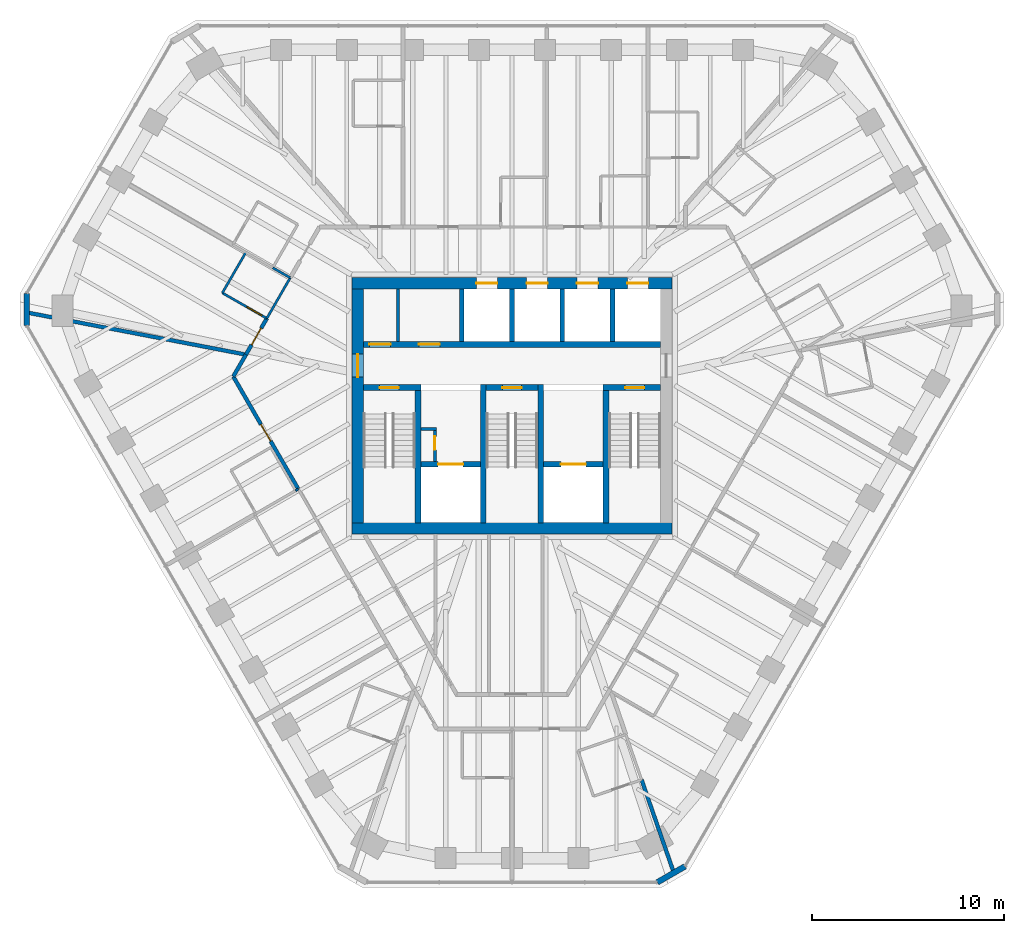
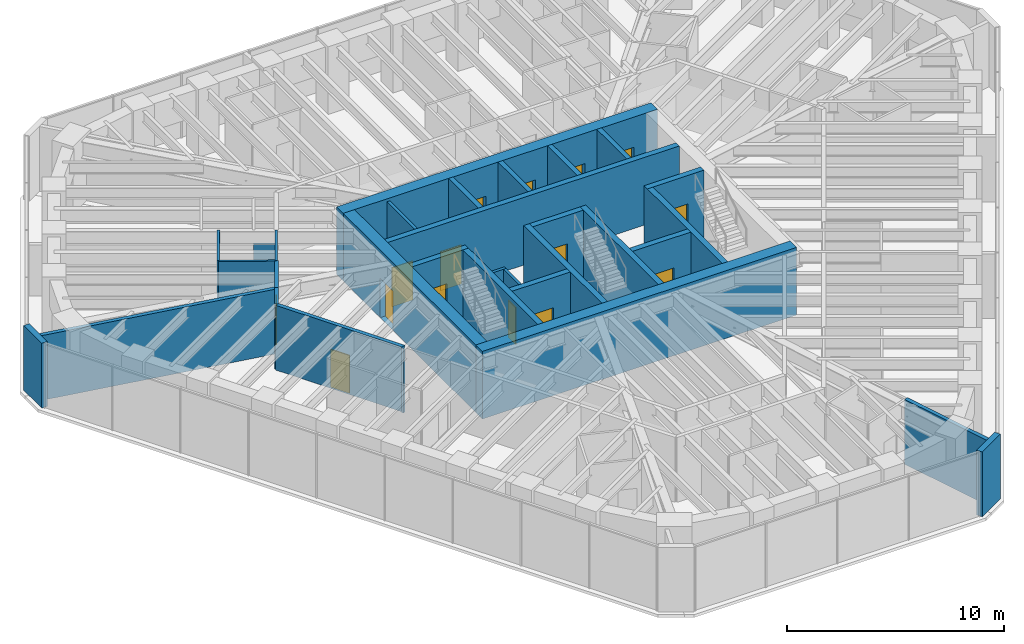
# One storey, part 10 of 14: 32 walls, 16 doors, 16 openings.
"""IFC4 building model written with IfcOpenShell, lengths in metres."""

from ifc_helpers import new_model, si_unit, direction, frame, frame_2d, origin, place, context, subcontext, project, spatial, rectangle, extrude, material, layer, layer_set, type_object, element, fill, save


model = new_model("IFC4")

# Units and contexts
model_context = context("Model", 3, precision=1e-05, world=origin(), true_north=direction((0.0, 1.0)))
body_context = subcontext(model_context, "Body", "Model", "MODEL_VIEW")
ifc_project = project(units=[si_unit("LENGTHUNIT", "METRE"), si_unit("AREAUNIT", "SQUARE_METRE"), si_unit("VOLUMEUNIT", "CUBIC_METRE"), si_unit("PLANEANGLEUNIT", "RADIAN"), si_unit("MASSUNIT", "GRAM", prefix="KILO")], contexts=[model_context])

# Site, building, storey
site_placement = place(None, origin())
site = spatial("IfcSite", under=ifc_project, at=site_placement, CompositionType="ELEMENT")
building_placement = place(site_placement, origin())
building = spatial("IfcBuilding", under=site, at=building_placement, Name="Sandreach Pilgrim Tower", CompositionType="ELEMENT")
storey_placement = place(building_placement, frame((0.0, 0.0, 276.0)))
storey = spatial("IfcBuildingStorey", under=building, at=storey_placement, Name="L69", CompositionType="ELEMENT", Elevation=276.0)

# Wall
ifc_material_1 = material(Name="Gypsum board on steel studs", Category="steel")
ifc_layer_1 = layer(ifc_material_1, 0.14990234375)
ifc_layer_set_1 = layer_set([ifc_layer_1], Name="Back of house wall 150")
wall_type_1 = type_object("IfcWallType", Name="Back of house wall 150", PredefinedType="PARTITIONING", material=ifc_layer_set_1)
wall_1_placement = place(storey_placement, frame((-5.949951171875, 3.35009765625, 0.0), z_axis=(0.0, 0.0, 1.0), x_axis=(0.0, 1.0, 0.0)))
element("IfcWall", 1, at=wall_1_placement, inside=storey, type_object=wall_type_1, Name="Core room partition L69 1", PredefinedType="PARTITIONING", context=body_context, shape_type="SweptSolid", body=[
    extrude(rectangle(XDim=2.75, YDim=0.14990234375, at=frame_2d((1.375, 0.0))), origin(), (0.0, 0.0, 1.0), 3.639892578125),
])

# Wall, opening, door
ifc_material_2 = material(Name="Moisture-resistant gypsum board on steel studs", Category="steel")
ifc_layer_2 = layer(ifc_material_2, 0.1201171875)
ifc_layer_set_2 = layer_set([ifc_layer_2], Name="Bathroom partition 120")
wall_type_2 = type_object("IfcWallType", Name="Bathroom partition 120", PredefinedType="PARTITIONING", material=ifc_layer_set_2)
wall_2_placement = place(storey_placement, frame((-15.110107421875, 5.889892578125, 0.0), z_axis=(0.0, 0.0, 1.0), x_axis=(0.867585049529, -0.497288831399, 0.0)))
wall_2 = element("IfcWall", 2, at=wall_2_placement, inside=storey, type_object=wall_type_2, Name="Bathroom partition L69-004", PredefinedType="PARTITIONING", context=body_context, shape_type="SweptSolid", body=[
    extrude(rectangle(XDim=2.674072265625, YDim=0.1201171875, at=frame_2d((1.3369140625, 0.0))), origin(), (0.0, 0.0, 1.0), 3.639892578125),
])
opening_1_placement = place(wall_2_placement, frame((1.47412109375, 0.0, 0.0)))
opening_1 = element("IfcOpeningElement", 3, at=opening_1_placement, cuts=wall_2, Name="Opening D09-15B", PredefinedType="OPENING", context=body_context, shape_type="SweptSolid", body=[
    extrude(rectangle(XDim=0.89990234375, YDim=2.030029296875, at=frame_2d((0.449951171875, 1.01513671875))), frame((0.0, 0.06005859375, 0.0), z_axis=(0.0, -1.0, 0.0), x_axis=(1.0, 0.0, 0.0)), (0.0, 0.0, 1.0), 0.1201171875),
])
ifc_material_3 = material(Name="Timber door, steel frame", Category="steel")
door_type_1 = type_object("IfcDoorType", Name="Bathroom door", OperationType="SINGLE_SWING_LEFT", PredefinedType="DOOR", material=ifc_material_3)
door_1_placement = place(opening_1_placement, origin())
door_1 = element("IfcDoor", 4, at=door_1_placement, inside=storey, type_object=door_type_1, Name="Door 6915B", OperationType="SINGLE_SWING_RIGHT", OverallHeight=2.030029296875, OverallWidth=0.89990234375, PredefinedType="DOOR", context=body_context, shape_type="SweptSolid", body=[
    extrude(rectangle(XDim=0.89990234375, YDim=2.030029296875, at=frame_2d((0.449951171875, 1.01513671875))), frame((0.0, 0.02490234375, 0.0), z_axis=(0.0, -1.0, 0.0), x_axis=(1.0, 0.0, 0.0)), (0.0, 0.0, 1.0), 0.050048828125),
])
fill(opening_1, door_1)

# Walls
wall_3_placement = place(storey_placement, frame((-13.8798828125, 8.010009765625, 0.0), z_axis=(0.0, 0.0, 1.0), x_axis=(-0.501888006485, -0.864932615264, 0.0)))
element("IfcWall", 5, at=wall_3_placement, inside=storey, type_object=wall_type_2, Name="Bathroom partition L69-011", PredefinedType="PARTITIONING", context=body_context, shape_type="SweptSolid", body=[
    extrude(rectangle(XDim=2.451171875, YDim=0.1201171875, at=frame_2d((1.2255859375, 0.0))), origin(), (0.0, 0.0, 1.0), 3.639892578125),
])
wall_4_placement = place(storey_placement, frame((-12.7900390625, 4.56005859375, 0.0), z_axis=(0.0, 0.0, 1.0), x_axis=(0.499252904436, 0.866456310158, 0.0)))
element("IfcWall", 6, at=wall_4_placement, inside=storey, type_object=wall_type_2, Name="Bathroom partition L69-017", PredefinedType="PARTITIONING", context=body_context, shape_type="SweptSolid", body=[
    extrude(rectangle(XDim=2.446044921875, YDim=0.1201171875, at=frame_2d((1.22314453125, 0.0))), origin(), (0.0, 0.0, 1.0), 3.639892578125),
])
wall_5_placement = place(storey_placement, frame((-12.47998046875, 7.199951171875, 0.0), z_axis=(0.0, 0.0, 1.0), x_axis=(0.868214469581, -0.496189111942, 0.0)))
element("IfcWall", 7, at=wall_5_placement, inside=storey, type_object=wall_type_2, Name="Bathroom partition L69-019", PredefinedType="PARTITIONING", context=body_context, shape_type="SweptSolid", body=[
    extrude(rectangle(XDim=1.048095703125, YDim=0.1201171875, at=frame_2d((0.52392578125, 0.0))), origin(), (0.0, 0.0, 1.0), 2.8779296875),
])
wall_6_placement = place(storey_placement, frame((-11.280029296875, -4.419921875, 0.0), z_axis=(0.0, 0.0, 1.0), x_axis=(0.851933114221, 0.5236506172, 0.0)))
element("IfcWall", 8, at=wall_6_placement, inside=storey, type_object=wall_type_2, Name="Bathroom partition L69-024", PredefinedType="PARTITIONING", context=body_context, shape_type="SweptSolid", body=[
    extrude(rectangle(XDim=0.15234375, YDim=0.1201171875, at=frame_2d((0.076171875, 0.0))), origin(), (0.0, 0.0, 1.0), 3.639892578125),
])
ifc_material_4 = material(Name="Concrete 10000 psi", Category="concrete")
ifc_layer_3 = layer(ifc_material_4, 0.300048828125)
ifc_layer_set_3 = layer_set([ifc_layer_3], Name="Core inner wall 300")
wall_type_3 = type_object("IfcWallType", Name="Core inner wall 300", PredefinedType="SHEAR", material=ifc_layer_set_3)
for number, where, z_axis, x_axis, name in (
    (9, (-4.89990234375, -6.10009765625, 0.0), (0.0, 0.0, 1.0), (0.0, 1.0, 0.0), "Core wall I0 L69"),
    (10, (-1.5, -6.10009765625, 0.0), (0.0, 0.0, 1.0), (0.0, 1.0, 0.0), "Core wall I1 L69"),
    (11, (1.5, -6.10009765625, 0.0), (0.0, 0.0, 1.0), (0.0, 1.0, 0.0), "Core wall I2 L69"),
    (12, (4.89990234375, -6.10009765625, 0.0), (0.0, 0.0, 1.0), (0.0, 1.0, 0.0), "Core wall I3 L69"),
):
    element("IfcWall", number, at=place(storey_placement, frame(where, z_axis=z_axis, x_axis=x_axis)), inside=storey, type_object=wall_type_3, Name=name, PredefinedType="SHEAR", context=body_context, shape_type="SweptSolid", body=[
        extrude(rectangle(XDim=7.2001953125, YDim=0.300048828125, at=frame_2d((3.60009765625, 0.0))), origin(), (0.0, 0.0, 1.0), 3.800048828125),
    ])

# Wall, opening, door
wall_7_placement = place(storey_placement, frame((-7.75, 0.949951171875, 0.0), z_axis=(0.0, 0.0, 1.0), x_axis=(1.0, 0.0, 0.0)))
wall_7 = element("IfcWall", 13, at=wall_7_placement, inside=storey, type_object=wall_type_3, Name="Core wall SN1 L69", PredefinedType="SHEAR", context=body_context, shape_type="SweptSolid", body=[
    extrude(rectangle(XDim=3.0, YDim=0.300048828125, at=frame_2d((1.5, 0.0))), origin(), (0.0, 0.0, 1.0), 3.800048828125),
])
opening_2_placement = place(wall_7_placement, frame((0.85009765625, 0.0, 0.0)))
opening_2 = element("IfcOpeningElement", 14, at=opening_2_placement, cuts=wall_7, Name="Opening D10S-ST1", PredefinedType="OPENING", context=body_context, shape_type="SweptSolid", body=[
    extrude(rectangle(XDim=1.0, YDim=2.199951171875, at=frame_2d((0.5, 1.10009765625))), frame((0.0, 0.14990234375, 0.0), z_axis=(0.0, -1.0, 0.0), x_axis=(1.0, 0.0, 0.0)), (0.0, 0.0, 1.0), 0.300048828125),
])
ifc_material_5 = material(Name="Steel door and frame", Category="steel")
door_type_2 = type_object("IfcDoorType", Name="Stair door", OperationType="SINGLE_SWING_LEFT", PredefinedType="DOOR", material=ifc_material_5)
door_2_placement = place(opening_2_placement, origin())
door_2 = element("IfcDoor", 15, at=door_2_placement, inside=storey, type_object=door_type_2, Name="Stair door ST1 L69", OperationType="SINGLE_SWING_LEFT", OverallHeight=2.199951171875, OverallWidth=1.0, PredefinedType="DOOR", context=body_context, shape_type="SweptSolid", body=[
    extrude(rectangle(XDim=1.0, YDim=2.199951171875, at=frame_2d((0.5, 1.10009765625))), frame((0.0, 0.02490234375, 0.0), z_axis=(0.0, -1.0, 0.0), x_axis=(1.0, 0.0, 0.0)), (0.0, 0.0, 1.0), 0.050048828125),
])
fill(opening_2, door_2)

wall_8_placement = place(storey_placement, frame((-1.35009765625, 0.949951171875, 0.0), z_axis=(0.0, 0.0, 1.0), x_axis=(1.0, 0.0, 0.0)))
wall_8 = element("IfcWall", 16, at=wall_8_placement, inside=storey, type_object=wall_type_3, Name="Core wall SN3 L69", PredefinedType="SHEAR", context=body_context, shape_type="SweptSolid", body=[
    extrude(rectangle(XDim=2.7001953125, YDim=0.300048828125, at=frame_2d((1.35009765625, 0.0))), origin(), (0.0, 0.0, 1.0), 3.800048828125),
])
opening_3_placement = place(wall_8_placement, frame((0.85009765625, 0.0, 0.0)))
opening_3 = element("IfcOpeningElement", 17, at=opening_3_placement, cuts=wall_8, Name="Opening D10S-ST3", PredefinedType="OPENING", context=body_context, shape_type="SweptSolid", body=[
    extrude(rectangle(XDim=1.0, YDim=2.199951171875, at=frame_2d((0.5, 1.10009765625))), frame((0.0, 0.14990234375, 0.0), z_axis=(0.0, -1.0, 0.0), x_axis=(1.0, 0.0, 0.0)), (0.0, 0.0, 1.0), 0.300048828125),
])
door_3_placement = place(opening_3_placement, origin())
door_3 = element("IfcDoor", 18, at=door_3_placement, inside=storey, type_object=door_type_2, Name="Stair door ST3 L69", OperationType="SINGLE_SWING_LEFT", OverallHeight=2.199951171875, OverallWidth=1.0, PredefinedType="DOOR", context=body_context, shape_type="SweptSolid", body=[
    extrude(rectangle(XDim=1.0, YDim=2.199951171875, at=frame_2d((0.5, 1.10009765625))), frame((0.0, 0.02490234375, 0.0), z_axis=(0.0, -1.0, 0.0), x_axis=(1.0, 0.0, 0.0)), (0.0, 0.0, 1.0), 0.050048828125),
])
fill(opening_3, door_3)

wall_9_placement = place(storey_placement, frame((4.75, 0.949951171875, 0.0), z_axis=(0.0, 0.0, 1.0), x_axis=(1.0, 0.0, 0.0)))
wall_9 = element("IfcWall", 19, at=wall_9_placement, inside=storey, type_object=wall_type_3, Name="Core wall SN2 L69", PredefinedType="SHEAR", context=body_context, shape_type="SweptSolid", body=[
    extrude(rectangle(XDim=3.0, YDim=0.300048828125, at=frame_2d((1.5, 0.0))), origin(), (0.0, 0.0, 1.0), 3.800048828125),
])
opening_4_placement = place(wall_9_placement, frame((1.14990234375, 0.0, 0.0)))
opening_4 = element("IfcOpeningElement", 20, at=opening_4_placement, cuts=wall_9, Name="Opening D10S-ST2", PredefinedType="OPENING", context=body_context, shape_type="SweptSolid", body=[
    extrude(rectangle(XDim=1.0, YDim=2.199951171875, at=frame_2d((0.5, 1.10009765625))), frame((0.0, 0.14990234375, 0.0), z_axis=(0.0, -1.0, 0.0), x_axis=(1.0, 0.0, 0.0)), (0.0, 0.0, 1.0), 0.300048828125),
])
door_4_placement = place(opening_4_placement, origin())
door_4 = element("IfcDoor", 21, at=door_4_placement, inside=storey, type_object=door_type_2, Name="Stair door ST2 L69", OperationType="SINGLE_SWING_RIGHT", OverallHeight=2.199951171875, OverallWidth=1.0, PredefinedType="DOOR", context=body_context, shape_type="SweptSolid", body=[
    extrude(rectangle(XDim=1.0, YDim=2.199951171875, at=frame_2d((0.5, 1.10009765625))), frame((0.0, 0.02490234375, 0.0), z_axis=(0.0, -1.0, 0.0), x_axis=(1.0, 0.0, 0.0)), (0.0, 0.0, 1.0), 0.050048828125),
])
fill(opening_4, door_4)

wall_10_placement = place(storey_placement, frame((-4.75, -3.050048828125, 0.0), z_axis=(0.0, 0.0, 1.0), x_axis=(1.0, 0.0, 0.0)))
wall_10 = element("IfcWall", 22, at=wall_10_placement, inside=storey, type_object=wall_type_3, Name="Core wall FL1 L69", PredefinedType="SHEAR", context=body_context, shape_type="SweptSolid", body=[
    extrude(rectangle(XDim=3.10009765625, YDim=0.300048828125, at=frame_2d((1.550048828125, 0.0))), origin(), (0.0, 0.0, 1.0), 3.800048828125),
])
opening_5_placement = place(wall_10_placement, frame((0.89990234375, 0.0, 0.0)))
opening_5 = element("IfcOpeningElement", 23, at=opening_5_placement, cuts=wall_10, Name="Opening LD13", PredefinedType="OPENING", context=body_context, shape_type="SweptSolid", body=[
    extrude(rectangle(XDim=1.300048828125, YDim=2.10009765625, at=frame_2d((0.64990234375, 1.050048828125))), frame((0.0, 0.14990234375, 0.0), z_axis=(0.0, -1.0, 0.0), x_axis=(1.0, 0.0, 0.0)), (0.0, 0.0, 1.0), 0.300048828125),
])
ifc_material_6 = material(Name="Steel door and frame", Category="steel")
door_type_3 = type_object("IfcDoorType", Name="Fire service lift landing door", OperationType="DOUBLE_DOOR_SLIDING", PredefinedType="DOOR", material=ifc_material_6)
door_5_placement = place(opening_5_placement, origin())
door_5 = element("IfcDoor", 24, at=door_5_placement, inside=storey, type_object=door_type_3, Name="Lift landing door FS1 L69", OperationType="DOUBLE_DOOR_SLIDING", OverallHeight=2.10009765625, OverallWidth=1.300048828125, PredefinedType="DOOR", context=body_context, shape_type="SweptSolid", body=[
    extrude(rectangle(XDim=1.300048828125, YDim=2.10009765625, at=frame_2d((0.64990234375, 1.050048828125))), frame((0.0, 0.02490234375, 0.0), z_axis=(0.0, -1.0, 0.0), x_axis=(1.0, 0.0, 0.0)), (0.0, 0.0, 1.0), 0.050048828125),
])
fill(opening_5, door_5)

wall_11_placement = place(storey_placement, frame((1.64990234375, -3.050048828125, 0.0), z_axis=(0.0, 0.0, 1.0), x_axis=(1.0, 0.0, 0.0)))
wall_11 = element("IfcWall", 25, at=wall_11_placement, inside=storey, type_object=wall_type_3, Name="Core wall FL2 L69", PredefinedType="SHEAR", context=body_context, shape_type="SweptSolid", body=[
    extrude(rectangle(XDim=3.10009765625, YDim=0.300048828125, at=frame_2d((1.550048828125, 0.0))), origin(), (0.0, 0.0, 1.0), 3.800048828125),
])
opening_6_placement = place(wall_11_placement, frame((0.89990234375, 0.0, 0.0)))
opening_6 = element("IfcOpeningElement", 26, at=opening_6_placement, cuts=wall_11, Name="Opening LD13", PredefinedType="OPENING", context=body_context, shape_type="SweptSolid", body=[
    extrude(rectangle(XDim=1.300048828125, YDim=2.10009765625, at=frame_2d((0.64990234375, 1.050048828125))), frame((0.0, 0.14990234375, 0.0), z_axis=(0.0, -1.0, 0.0), x_axis=(1.0, 0.0, 0.0)), (0.0, 0.0, 1.0), 0.300048828125),
])
door_6_placement = place(opening_6_placement, origin())
door_6 = element("IfcDoor", 27, at=door_6_placement, inside=storey, type_object=door_type_3, Name="Lift landing door FS2 L69", OperationType="DOUBLE_DOOR_SLIDING", OverallHeight=2.10009765625, OverallWidth=1.300048828125, PredefinedType="DOOR", context=body_context, shape_type="SweptSolid", body=[
    extrude(rectangle(XDim=1.300048828125, YDim=2.10009765625, at=frame_2d((0.64990234375, 1.050048828125))), frame((0.0, 0.02490234375, 0.0), z_axis=(0.0, -1.0, 0.0), x_axis=(1.0, 0.0, 0.0)), (0.0, 0.0, 1.0), 0.050048828125),
])
fill(opening_6, door_6)

# Wall, openings, doors
wall_12_placement = place(storey_placement, frame((-7.75, 3.199951171875, 0.0), z_axis=(0.0, 0.0, 1.0), x_axis=(1.0, 0.0, 0.0)))
wall_12 = element("IfcWall", 28, at=wall_12_placement, inside=storey, type_object=wall_type_3, Name="Core wall PN L69", PredefinedType="SHEAR", context=body_context, shape_type="SweptSolid", body=[
    extrude(rectangle(XDim=15.5, YDim=0.300048828125, at=frame_2d((7.75, 0.0))), origin(), (0.0, 0.0, 1.0), 3.800048828125),
])
opening_7_placement = place(wall_12_placement, frame((0.3125, 0.0, 0.0)))
opening_7 = element("IfcOpeningElement", 29, at=opening_7_placement, cuts=wall_12, Name="Opening D11L", PredefinedType="OPENING", context=body_context, shape_type="SweptSolid", body=[
    extrude(rectangle(XDim=1.10009765625, YDim=2.199951171875, at=frame_2d((0.550048828125, 1.10009765625))), frame((0.0, 0.14990234375, 0.0), z_axis=(0.0, -1.0, 0.0), x_axis=(1.0, 0.0, 0.0)), (0.0, 0.0, 1.0), 0.300048828125),
])
opening_8_placement = place(wall_12_placement, frame((2.887451171875, 0.0, 0.0)))
opening_8 = element("IfcOpeningElement", 30, at=opening_8_placement, cuts=wall_12, Name="Opening D11L", PredefinedType="OPENING", context=body_context, shape_type="SweptSolid", body=[
    extrude(rectangle(XDim=1.10009765625, YDim=2.199951171875, at=frame_2d((0.550048828125, 1.10009765625))), frame((0.0, 0.14990234375, 0.0), z_axis=(0.0, -1.0, 0.0), x_axis=(1.0, 0.0, 0.0)), (0.0, 0.0, 1.0), 0.300048828125),
])
ifc_material_7 = material(Name="Steel door and frame, smoke seals", Category="steel")
door_type_4 = type_object("IfcDoorType", Name="Core room door", OperationType="SINGLE_SWING_LEFT", PredefinedType="DOOR", material=ifc_material_7)
door_7_placement = place(opening_7_placement, origin())
door_7 = element("IfcDoor", 31, at=door_7_placement, inside=storey, type_object=door_type_4, Name="Door butler pantry 69K1", OperationType="SINGLE_SWING_LEFT", OverallHeight=2.199951171875, OverallWidth=1.10009765625, PredefinedType="DOOR", context=body_context, shape_type="SweptSolid", body=[
    extrude(rectangle(XDim=1.10009765625, YDim=2.199951171875, at=frame_2d((0.550048828125, 1.10009765625))), frame((0.0, 0.02490234375, 0.0), z_axis=(0.0, -1.0, 0.0), x_axis=(1.0, 0.0, 0.0)), (0.0, 0.0, 1.0), 0.050048828125),
])
fill(opening_7, door_7)
door_8_placement = place(opening_8_placement, origin())
door_8 = element("IfcDoor", 32, at=door_8_placement, inside=storey, type_object=door_type_4, Name="Door storage room 69K2", OperationType="SINGLE_SWING_LEFT", OverallHeight=2.199951171875, OverallWidth=1.10009765625, PredefinedType="DOOR", context=body_context, shape_type="SweptSolid", body=[
    extrude(rectangle(XDim=1.10009765625, YDim=2.199951171875, at=frame_2d((0.550048828125, 1.10009765625))), frame((0.0, 0.02490234375, 0.0), z_axis=(0.0, -1.0, 0.0), x_axis=(1.0, 0.0, 0.0)), (0.0, 0.0, 1.0), 0.050048828125),
])
fill(opening_8, door_8)

ifc_material_8 = material(Name="Concrete 10000 psi", Category="concrete")
ifc_layer_4 = layer(ifc_material_8, 0.60009765625)
ifc_layer_set_4 = layer_set([ifc_layer_4], Name="Core wall 600")
wall_type_4 = type_object("IfcWallType", Name="Core wall 600", PredefinedType="SHEAR", material=ifc_layer_set_4)
wall_13_placement = place(storey_placement, frame((-8.35009765625, 6.39990234375, 0.0), z_axis=(0.0, 0.0, 1.0), x_axis=(1.0, 0.0, 0.0)))
wall_13 = element("IfcWall", 33, at=wall_13_placement, inside=storey, type_object=wall_type_4, Name="Core wall N L69", PredefinedType="SHEAR", context=body_context, shape_type="SweptSolid", body=[
    extrude(rectangle(XDim=16.7001953125, YDim=0.60009765625, at=frame_2d((8.35009765625, 0.0))), origin(), (0.0, 0.0, 1.0), 3.800048828125),
])
opening_9_placement = place(wall_13_placement, frame((6.487548828125, 0.0, 0.0)))
opening_9 = element("IfcOpeningElement", 34, at=opening_9_placement, cuts=wall_13, Name="Opening LD11", PredefinedType="OPENING", context=body_context, shape_type="SweptSolid", body=[
    extrude(rectangle(XDim=1.10009765625, YDim=2.10009765625, at=frame_2d((0.550048828125, 1.050048828125))), frame((0.0, 0.300048828125, 0.0), z_axis=(0.0, -1.0, 0.0), x_axis=(1.0, 0.0, 0.0)), (0.0, 0.0, 1.0), 0.60009765625),
])
opening_10_placement = place(wall_13_placement, frame((9.112548828125, 0.0, 0.0)))
opening_10 = element("IfcOpeningElement", 35, at=opening_10_placement, cuts=wall_13, Name="Opening LD11", PredefinedType="OPENING", context=body_context, shape_type="SweptSolid", body=[
    extrude(rectangle(XDim=1.10009765625, YDim=2.10009765625, at=frame_2d((0.550048828125, 1.050048828125))), frame((0.0, 0.300048828125, 0.0), z_axis=(0.0, -1.0, 0.0), x_axis=(1.0, 0.0, 0.0)), (0.0, 0.0, 1.0), 0.60009765625),
])
opening_11_placement = place(wall_13_placement, frame((11.737548828125, 0.0, 0.0)))
opening_11 = element("IfcOpeningElement", 36, at=opening_11_placement, cuts=wall_13, Name="Opening LD11", PredefinedType="OPENING", context=body_context, shape_type="SweptSolid", body=[
    extrude(rectangle(XDim=1.10009765625, YDim=2.10009765625, at=frame_2d((0.550048828125, 1.050048828125))), frame((0.0, 0.300048828125, 0.0), z_axis=(0.0, -1.0, 0.0), x_axis=(1.0, 0.0, 0.0)), (0.0, 0.0, 1.0), 0.60009765625),
])
opening_12_placement = place(wall_13_placement, frame((14.362548828125, 0.0, 0.0)))
opening_12 = element("IfcOpeningElement", 37, at=opening_12_placement, cuts=wall_13, Name="Opening LD11", PredefinedType="OPENING", context=body_context, shape_type="SweptSolid", body=[
    extrude(rectangle(XDim=1.10009765625, YDim=2.10009765625, at=frame_2d((0.550048828125, 1.050048828125))), frame((0.0, 0.300048828125, 0.0), z_axis=(0.0, -1.0, 0.0), x_axis=(1.0, 0.0, 0.0)), (0.0, 0.0, 1.0), 0.60009765625),
])
ifc_material_9 = material(Name="Steel door and frame", Category="steel")
door_type_5 = type_object("IfcDoorType", Name="Lift landing door", OperationType="DOUBLE_DOOR_SLIDING", PredefinedType="DOOR", material=ifc_material_9)
door_9_placement = place(opening_9_placement, origin())
door_9 = element("IfcDoor", 38, at=door_9_placement, inside=storey, type_object=door_type_5, Name="Lift landing door Z3A L69", OperationType="DOUBLE_DOOR_SLIDING", OverallHeight=2.10009765625, OverallWidth=1.10009765625, PredefinedType="DOOR", context=body_context, shape_type="SweptSolid", body=[
    extrude(rectangle(XDim=1.10009765625, YDim=2.10009765625, at=frame_2d((0.550048828125, 1.050048828125))), frame((0.0, 0.02490234375, 0.0), z_axis=(0.0, -1.0, 0.0), x_axis=(1.0, 0.0, 0.0)), (0.0, 0.0, 1.0), 0.050048828125),
])
fill(opening_9, door_9)
door_10_placement = place(opening_10_placement, origin())
door_10 = element("IfcDoor", 39, at=door_10_placement, inside=storey, type_object=door_type_5, Name="Lift landing door Z3B L69", OperationType="DOUBLE_DOOR_SLIDING", OverallHeight=2.10009765625, OverallWidth=1.10009765625, PredefinedType="DOOR", context=body_context, shape_type="SweptSolid", body=[
    extrude(rectangle(XDim=1.10009765625, YDim=2.10009765625, at=frame_2d((0.550048828125, 1.050048828125))), frame((0.0, 0.02490234375, 0.0), z_axis=(0.0, -1.0, 0.0), x_axis=(1.0, 0.0, 0.0)), (0.0, 0.0, 1.0), 0.050048828125),
])
fill(opening_10, door_10)
door_11_placement = place(opening_11_placement, origin())
door_11 = element("IfcDoor", 40, at=door_11_placement, inside=storey, type_object=door_type_5, Name="Lift landing door Z3C L69", OperationType="DOUBLE_DOOR_SLIDING", OverallHeight=2.10009765625, OverallWidth=1.10009765625, PredefinedType="DOOR", context=body_context, shape_type="SweptSolid", body=[
    extrude(rectangle(XDim=1.10009765625, YDim=2.10009765625, at=frame_2d((0.550048828125, 1.050048828125))), frame((0.0, 0.02490234375, 0.0), z_axis=(0.0, -1.0, 0.0), x_axis=(1.0, 0.0, 0.0)), (0.0, 0.0, 1.0), 0.050048828125),
])
fill(opening_11, door_11)
door_12_placement = place(opening_12_placement, origin())
door_12 = element("IfcDoor", 41, at=door_12_placement, inside=storey, type_object=door_type_5, Name="Lift landing door Z3D L69", OperationType="DOUBLE_DOOR_SLIDING", OverallHeight=2.10009765625, OverallWidth=1.10009765625, PredefinedType="DOOR", context=body_context, shape_type="SweptSolid", body=[
    extrude(rectangle(XDim=1.10009765625, YDim=2.10009765625, at=frame_2d((0.550048828125, 1.050048828125))), frame((0.0, 0.02490234375, 0.0), z_axis=(0.0, -1.0, 0.0), x_axis=(1.0, 0.0, 0.0)), (0.0, 0.0, 1.0), 0.050048828125),
])
fill(opening_12, door_12)

# Wall
wall_14_placement = place(storey_placement, frame((-8.35009765625, -6.39990234375, 0.0), z_axis=(0.0, 0.0, 1.0), x_axis=(1.0, 0.0, 0.0)))
element("IfcWall", 42, at=wall_14_placement, inside=storey, type_object=wall_type_4, Name="Core wall S L69", PredefinedType="SHEAR", context=body_context, shape_type="SweptSolid", body=[
    extrude(rectangle(XDim=16.7001953125, YDim=0.60009765625, at=frame_2d((8.35009765625, 0.0))), origin(), (0.0, 0.0, 1.0), 3.800048828125),
])

# Wall, opening, door
wall_15_placement = place(storey_placement, frame((-8.050048828125, -6.10009765625, 0.0), z_axis=(0.0, 0.0, 1.0), x_axis=(0.0, 1.0, 0.0)))
wall_15 = element("IfcWall", 43, at=wall_15_placement, inside=storey, type_object=wall_type_4, Name="Core wall W L69", PredefinedType="SHEAR", context=body_context, shape_type="SweptSolid", body=[
    extrude(rectangle(XDim=12.2001953125, YDim=0.60009765625, at=frame_2d((6.10009765625, 0.0))), origin(), (0.0, 0.0, 1.0), 3.800048828125),
])
opening_13_placement = place(wall_15_placement, frame((7.60009765625, 0.0, 0.0)))
opening_13 = element("IfcOpeningElement", 44, at=opening_13_placement, cuts=wall_15, Name="Opening D12F-W", PredefinedType="OPENING", context=body_context, shape_type="SweptSolid", body=[
    extrude(rectangle(XDim=1.199951171875, YDim=2.199951171875, at=frame_2d((0.60009765625, 1.10009765625))), frame((0.0, 0.300048828125, 0.0), z_axis=(0.0, -1.0, 0.0), x_axis=(1.0, 0.0, 0.0)), (0.0, 0.0, 1.0), 0.60009765625),
])
ifc_material_10 = material(Name="Steel door and frame", Category="steel")
door_type_6 = type_object("IfcDoorType", Name="Fire lobby door", OperationType="SINGLE_SWING_LEFT", PredefinedType="DOOR", material=ifc_material_10)
door_13_placement = place(opening_13_placement, origin())
door_13 = element("IfcDoor", 45, at=door_13_placement, inside=storey, type_object=door_type_6, Name="Fire service lobby door W L69", OperationType="SINGLE_SWING_RIGHT", OverallHeight=2.199951171875, OverallWidth=1.199951171875, PredefinedType="DOOR", context=body_context, shape_type="SweptSolid", body=[
    extrude(rectangle(XDim=1.199951171875, YDim=2.199951171875, at=frame_2d((0.60009765625, 1.10009765625))), frame((0.0, 0.02490234375, 0.0), z_axis=(0.0, -1.0, 0.0), x_axis=(1.0, 0.0, 0.0)), (0.0, 0.0, 1.0), 0.050048828125),
])
fill(opening_13, door_13)

# Wall
ifc_material_11 = material(Name="Gypsum board on steel studs, two layers each side", Category="steel")
ifc_layer_5 = layer(ifc_material_11, 0.199951171875)
ifc_layer_set_5 = layer_set([ifc_layer_5], Name="Corridor wall 200")
wall_type_5 = type_object("IfcWallType", Name="Corridor wall 200", PredefinedType="PARTITIONING", material=ifc_layer_set_5)
wall_16_placement = place(storey_placement, frame((-14.5400390625, 1.530029296875, 0.0), z_axis=(0.0, 0.0, 1.0), x_axis=(0.501160466528, 0.865354370642, 0.0)))
element("IfcWall", 46, at=wall_16_placement, inside=storey, type_object=wall_type_5, Name="Corridor wall L69-007", PredefinedType="PARTITIONING", context=body_context, shape_type="SweptSolid", body=[
    extrude(rectangle(XDim=1.317138671875, YDim=0.199951171875, at=frame_2d((0.65869140625, 0.0))), origin(), (0.0, 0.0, 1.0), 3.639892578125),
])

# Wall, opening, door
wall_17_placement = place(storey_placement, frame((-14.5400390625, 1.530029296875, 0.0), z_axis=(0.0, 0.0, 1.0), x_axis=(0.500113178326, -0.865960050386, 0.0)))
wall_17 = element("IfcWall", 47, at=wall_17_placement, inside=storey, type_object=wall_type_5, Name="Corridor wall L69-008", PredefinedType="PARTITIONING", context=body_context, shape_type="SweptSolid", body=[
    extrude(rectangle(XDim=6.77880859375, YDim=0.199951171875, at=frame_2d((3.389404296875, 0.0))), origin(), (0.0, 0.0, 1.0), 3.639892578125),
])
opening_14_placement = place(wall_17_placement, frame((2.889404296875, 0.0, 0.0)))
opening_14 = element("IfcOpeningElement", 48, at=opening_14_placement, cuts=wall_17, Name="Opening D10-14", PredefinedType="OPENING", context=body_context, shape_type="SweptSolid", body=[
    extrude(rectangle(XDim=1.0, YDim=2.1298828125, at=frame_2d((0.5, 1.06494140625))), frame((0.0, 0.10009765625, 0.0), z_axis=(0.0, -1.0, 0.0), x_axis=(1.0, 0.0, 0.0)), (0.0, 0.0, 1.0), 0.199951171875),
])
ifc_material_12 = material(Name="Steel door and frame", Category="steel")
door_type_7 = type_object("IfcDoorType", Name="Guest room entry door", OperationType="SINGLE_SWING_LEFT", PredefinedType="DOOR", material=ifc_material_12)
door_14_placement = place(opening_14_placement, origin())
door_14 = element("IfcDoor", 49, at=door_14_placement, inside=storey, type_object=door_type_7, Name="Door 6914", OperationType="SINGLE_SWING_LEFT", OverallHeight=2.1298828125, OverallWidth=1.0, PredefinedType="DOOR", context=body_context, shape_type="SweptSolid", body=[
    extrude(rectangle(XDim=1.0, YDim=2.1298828125, at=frame_2d((0.5, 1.06494140625))), frame((0.0, 0.02490234375, 0.0), z_axis=(0.0, -1.0, 0.0), x_axis=(1.0, 0.0, 0.0)), (0.0, 0.0, 1.0), 0.050048828125),
])
fill(opening_14, door_14)

wall_18_placement = place(storey_placement, frame((-13.8798828125, 2.669921875, 0.0), z_axis=(0.0, 0.0, 1.0), x_axis=(0.499509324401, 0.866308510195, 0.0)))
wall_18 = element("IfcWall", 50, at=wall_18_placement, inside=storey, type_object=wall_type_5, Name="Corridor wall L69-010", PredefinedType="PARTITIONING", context=body_context, shape_type="SweptSolid", body=[
    extrude(rectangle(XDim=2.181884765625, YDim=0.199951171875, at=frame_2d((1.0908203125, 0.0))), origin(), (0.0, 0.0, 1.0), 3.639892578125),
])
opening_15_placement = place(wall_18_placement, frame((0.5908203125, 0.0, 0.0)))
opening_15 = element("IfcOpeningElement", 51, at=opening_15_placement, cuts=wall_18, Name="Opening D10-15", PredefinedType="OPENING", context=body_context, shape_type="SweptSolid", body=[
    extrude(rectangle(XDim=1.0, YDim=2.1298828125, at=frame_2d((0.5, 1.06494140625))), frame((0.0, 0.10009765625, 0.0), z_axis=(0.0, -1.0, 0.0), x_axis=(1.0, 0.0, 0.0)), (0.0, 0.0, 1.0), 0.199951171875),
])
door_15_placement = place(opening_15_placement, origin())
door_15 = element("IfcDoor", 52, at=door_15_placement, inside=storey, type_object=door_type_7, Name="Door 6915", OperationType="SINGLE_SWING_LEFT", OverallHeight=2.1298828125, OverallWidth=1.0, PredefinedType="DOOR", context=body_context, shape_type="SweptSolid", body=[
    extrude(rectangle(XDim=1.0, YDim=2.1298828125, at=frame_2d((0.5, 1.06494140625))), frame((0.0, 0.02490234375, 0.0), z_axis=(0.0, -1.0, 0.0), x_axis=(1.0, 0.0, 0.0)), (0.0, 0.0, 1.0), 0.050048828125),
])
fill(opening_15, door_15)

# Walls
ifc_material_13 = material(Name="Double steel stud acoustic wall, gypsum board", Category="steel")
ifc_layer_6 = layer(ifc_material_13, 0.199951171875)
ifc_layer_set_6 = layer_set([ifc_layer_6], Name="Party wall 200")
wall_type_6 = type_object("IfcWallType", Name="Party wall 200", PredefinedType="PARTITIONING", material=ifc_layer_set_6)
wall_19_placement = place(storey_placement, frame((-25.340576171875, 4.874267578125, 0.0), z_axis=(0.0, 0.0, 1.0), x_axis=(0.98200120174, -0.188874666859, 0.0)))
element("IfcWall", 53, at=wall_19_placement, inside=storey, type_object=wall_type_6, Name="Party wall L69-001", PredefinedType="PARTITIONING", context=body_context, shape_type="SweptSolid", body=[
    extrude(rectangle(XDim=11.62060546875, YDim=0.199951171875, at=frame_2d((5.810302734375, 0.0))), origin(), (0.0, 0.0, 1.0), 3.639892578125),
])
wall_20_placement = place(storey_placement, frame((6.760009765625, -19.510009765625, 0.0), z_axis=(0.0, 0.0, 1.0), x_axis=(0.327780464108, -0.944753918938, 0.0)))
element("IfcWall", 54, at=wall_20_placement, inside=storey, type_object=wall_type_6, Name="Party wall L69-078", PredefinedType="PARTITIONING", context=body_context, shape_type="SweptSolid", body=[
    extrude(rectangle(XDim=5.156494140625, YDim=0.199951171875, at=frame_2d((2.578125, 0.0))), origin(), (0.0, 0.0, 1.0), 3.639892578125),
])

# Wall, opening, door
ifc_material_14 = material(Name="Gypsum shaft wall on steel studs, shaft liner board", Category="steel")
ifc_layer_7 = layer(ifc_material_14, 0.14990234375)
ifc_layer_set_7 = layer_set([ifc_layer_7], Name="Riser shaft wall 150")
wall_type_7 = type_object("IfcWallType", Name="Riser shaft wall 150", PredefinedType="PARTITIONING", material=ifc_layer_set_7)
wall_21_placement = place(storey_placement, frame((-4.02490234375, -2.89990234375, 0.0), z_axis=(0.0, 0.0, 1.0), x_axis=(0.0, 1.0, 0.0)))
wall_21 = element("IfcWall", 55, at=wall_21_placement, inside=storey, type_object=wall_type_7, Name="Riser partition L69 side", PredefinedType="PARTITIONING", context=body_context, shape_type="SweptSolid", body=[
    extrude(rectangle(XDim=1.77490234375, YDim=0.14990234375, at=frame_2d((0.887451171875, 0.0))), origin(), (0.0, 0.0, 1.0), 3.639892578125),
])
opening_16_placement = place(wall_21_placement, frame((0.60009765625, 0.0, 0.0)))
opening_16 = element("IfcOpeningElement", 56, at=opening_16_placement, cuts=wall_21, Name="Opening D07R", PredefinedType="OPENING", context=body_context, shape_type="SweptSolid", body=[
    extrude(rectangle(XDim=0.699951171875, YDim=2.10009765625, at=frame_2d((0.35009765625, 1.050048828125))), frame((0.0, 0.074951171875, 0.0), z_axis=(0.0, -1.0, 0.0), x_axis=(1.0, 0.0, 0.0)), (0.0, 0.0, 1.0), 0.14990234375),
])
ifc_material_15 = material(Name="Steel door and frame, smoke seals", Category="steel")
door_type_8 = type_object("IfcDoorType", Name="Riser access door", OperationType="SINGLE_SWING_RIGHT", PredefinedType="DOOR", material=ifc_material_15)
door_16_placement = place(opening_16_placement, origin())
door_16 = element("IfcDoor", 57, at=door_16_placement, inside=storey, type_object=door_type_8, Name="Door riser 69ER", OperationType="SINGLE_SWING_RIGHT", OverallHeight=2.10009765625, OverallWidth=0.699951171875, PredefinedType="DOOR", context=body_context, shape_type="SweptSolid", body=[
    extrude(rectangle(XDim=0.699951171875, YDim=2.10009765625, at=frame_2d((0.35009765625, 1.050048828125))), frame((0.0, 0.02490234375, 0.0), z_axis=(0.0, -1.0, 0.0), x_axis=(1.0, 0.0, 0.0)), (0.0, 0.0, 1.0), 0.050048828125),
])
fill(opening_16, door_16)

# Walls
wall_22_placement = place(storey_placement, frame((-4.75, -1.199951171875, 0.0), z_axis=(0.0, 0.0, 1.0), x_axis=(1.0, 0.0, 0.0)))
element("IfcWall", 58, at=wall_22_placement, inside=storey, type_object=wall_type_7, Name="Riser partition L69 front", PredefinedType="PARTITIONING", context=body_context, shape_type="SweptSolid", body=[
    extrude(rectangle(XDim=0.800048828125, YDim=0.14990234375, at=frame_2d((0.39990234375, 0.0))), origin(), (0.0, 0.0, 1.0), 3.639892578125),
])
ifc_material_16 = material(Name="Gypsum shaft wall on steel studs, two layers of shaft liner board", Category="steel")
ifc_layer_8 = layer(ifc_material_16, 0.25)
ifc_layer_set_8 = layer_set([ifc_layer_8], Name="Shaft partition 250")
wall_type_8 = type_object("IfcWallType", Name="Shaft partition 250", PredefinedType="PARTITIONING", material=ifc_layer_set_8)
for number, where, z_axis, x_axis, name in (
    (59, (-2.625, 3.35009765625, 0.0), (0.0, 0.0, 1.0), (0.0, 1.0, 0.0), "Shaft partition NS1 L69"),
    (60, (0.0, 3.35009765625, 0.0), (0.0, 0.0, 1.0), (0.0, 1.0, 0.0), "Shaft partition NS2 L69"),
    (61, (2.625, 3.35009765625, 0.0), (0.0, 0.0, 1.0), (0.0, 1.0, 0.0), "Shaft partition NS3 L69"),
    (62, (5.25, 3.35009765625, 0.0), (0.0, 0.0, 1.0), (0.0, 1.0, 0.0), "Shaft partition NS4 L69"),
):
    element("IfcWall", number, at=place(storey_placement, frame(where, z_axis=z_axis, x_axis=x_axis)), inside=storey, type_object=wall_type_8, Name=name, PredefinedType="PARTITIONING", context=body_context, shape_type="SweptSolid", body=[
        extrude(rectangle(XDim=2.75, YDim=0.25, at=frame_2d((1.375, 0.0))), origin(), (0.0, 0.0, 1.0), 3.800048828125),
    ])
ifc_material_17 = material(Name="Terracotta rainscreen on concrete", Category="masonry")
ifc_layer_9 = layer(ifc_material_17, 0.300048828125)
ifc_layer_set_9 = layer_set([ifc_layer_9], Name="Terracotta chamfer pier")
wall_type_9 = type_object("IfcWallType", Name="Terracotta chamfer pier", PredefinedType="SOLIDWALL", material=ifc_layer_set_9)
for number, where, z_axis, x_axis, name in (
    (63, (9.02099609375, -24.028076171875, 0.0), (0.0, 0.0, 1.0), (-0.865989634427, -0.500061949227, 0.0), "Chamfer pier L69 SE"),
    (64, (-25.3193359375, 4.20166015625, 0.0), (0.0, 0.0, 1.0), (0.0, 1.0, 0.0), "Chamfer pier L69 SW"),
):
    element("IfcWall", number, at=place(storey_placement, frame(where, z_axis=z_axis, x_axis=x_axis)), inside=storey, type_object=wall_type_9, Name=name, PredefinedType="SOLIDWALL", context=body_context, shape_type="SweptSolid", body=[
        extrude(rectangle(XDim=1.659912109375, YDim=0.300048828125, at=frame_2d((0.830078125, 0.0))), origin(), (0.0, 0.0, 1.0), 3.639892578125),
    ])

save(model, "model.ifc")
